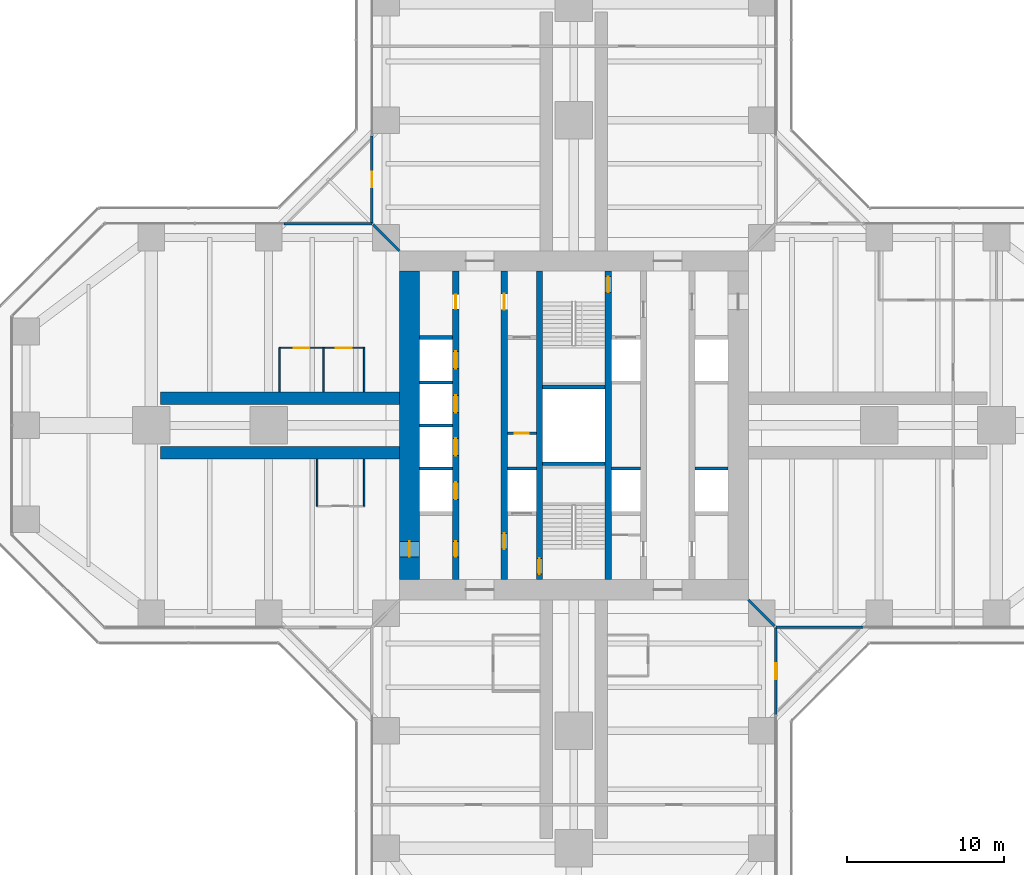
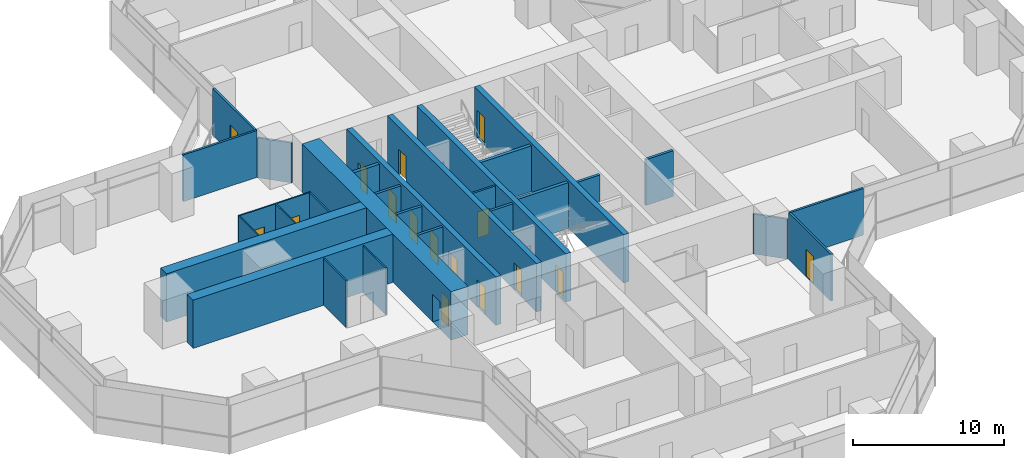
# One storey, part 18 of 22: 30 walls, 16 doors, 16 openings.
"""IFC4 building model written with IfcOpenShell, lengths in metres."""

from ifc_helpers import new_model, si_unit, direction, frame, frame_2d, origin, place, context, subcontext, project, spatial, rectangle, extrude, material, layer, layer_set, type_object, element, fill, save


model = new_model("IFC4")

# Units and contexts
model_context = context("Model", 3, precision=1e-05, world=origin(), true_north=direction((0.0, 1.0)))
body_context = subcontext(model_context, "Body", "Model", "MODEL_VIEW")
ifc_project = project(units=[si_unit("LENGTHUNIT", "METRE"), si_unit("AREAUNIT", "SQUARE_METRE"), si_unit("VOLUMEUNIT", "CUBIC_METRE"), si_unit("PLANEANGLEUNIT", "RADIAN"), si_unit("MASSUNIT", "GRAM", prefix="KILO")], contexts=[model_context])

# Site, building, storey
site_placement = place(None, origin())
site = spatial("IfcSite", under=ifc_project, at=site_placement, CompositionType="ELEMENT")
building_placement = place(site_placement, origin())
building = spatial("IfcBuilding", under=site, at=building_placement, Name="Mizan Broadcast Tower", CompositionType="ELEMENT")
storey_placement = place(building_placement, frame((0.0, 0.0, 90.300048828125)))
storey = spatial("IfcBuildingStorey", under=building, at=storey_placement, Name="L19", CompositionType="ELEMENT", Elevation=90.300048828125)

# Wall, openings, doors
ifc_material_1 = material(Name="Concrete C70/85", Category="concrete")
ifc_layer_1 = layer(ifc_material_1, 0.39990234375)
ifc_layer_set_1 = layer_set([ifc_layer_1], Name="Concrete C70/85")
wall_type_1 = type_object("IfcWallType", Name="CORE INTERNAL WALL 400", PredefinedType="SHEAR", material=ifc_layer_set_1)
wall_1_placement = place(storey_placement, frame((-7.550048828125, -9.85009765625, 0.0), z_axis=(0.0, 0.0, 1.0), x_axis=(0.0, 1.0, 0.0)))
wall_1 = element("IfcWall", 1, at=wall_1_placement, inside=storey, type_object=wall_type_1, Name="Core wall CORE/XW1", PredefinedType="SHEAR", context=body_context, shape_type="SweptSolid", body=[
    extrude(rectangle(XDim=19.7001953125, YDim=0.39990234375, at=frame_2d((9.85009765625, 0.0))), origin(), (0.0, 0.0, 1.0), 3.89990234375),
])
opening_1_placement = place(wall_1_placement, frame((1.449951171875, 0.0, 0.0)))
opening_1 = element("IfcOpeningElement", 2, at=opening_1_placement, cuts=wall_1, Name="Opening D10F", PredefinedType="OPENING", context=body_context, shape_type="SweptSolid", body=[
    extrude(rectangle(XDim=1.0, YDim=2.199951171875, at=frame_2d((0.5, 1.10009765625))), frame((0.0, 0.2099609375, 0.0), z_axis=(0.0, -1.0, 0.0), x_axis=(1.0, 0.0, 0.0)), (0.0, 0.0, 1.0), 0.419921875),
])
opening_2_placement = place(wall_1_placement, frame((17.300048828125, 0.0, 0.0)))
opening_2 = element("IfcOpeningElement", 3, at=opening_2_placement, cuts=wall_1, Name="Opening D09", PredefinedType="OPENING", context=body_context, shape_type="SweptSolid", body=[
    extrude(rectangle(XDim=0.89990234375, YDim=2.10009765625, at=frame_2d((0.449951171875, 1.050048828125))), frame((0.0, 0.2099609375, 0.0), z_axis=(0.0, -1.0, 0.0), x_axis=(1.0, 0.0, 0.0)), (0.0, 0.0, 1.0), 0.419921875),
])
opening_3_placement = place(wall_1_placement, frame((5.125, 0.0, 0.0)))
opening_3 = element("IfcOpeningElement", 4, at=opening_3_placement, cuts=wall_1, Name="Opening LD", PredefinedType="OPENING", context=body_context, shape_type="SweptSolid", body=[
    extrude(rectangle(XDim=1.10009765625, YDim=2.199951171875, at=frame_2d((0.550048828125, 1.10009765625))), frame((0.0, 0.2099609375, 0.0), z_axis=(0.0, -1.0, 0.0), x_axis=(1.0, 0.0, 0.0)), (0.0, 0.0, 1.0), 0.419921875),
])
opening_4_placement = place(wall_1_placement, frame((7.925048828125, 0.0, 0.0)))
opening_4 = element("IfcOpeningElement", 5, at=opening_4_placement, cuts=wall_1, Name="Opening LD", PredefinedType="OPENING", context=body_context, shape_type="SweptSolid", body=[
    extrude(rectangle(XDim=1.10009765625, YDim=2.199951171875, at=frame_2d((0.550048828125, 1.10009765625))), frame((0.0, 0.2099609375, 0.0), z_axis=(0.0, -1.0, 0.0), x_axis=(1.0, 0.0, 0.0)), (0.0, 0.0, 1.0), 0.419921875),
])
opening_5_placement = place(wall_1_placement, frame((10.675048828125, 0.0, 0.0)))
opening_5 = element("IfcOpeningElement", 6, at=opening_5_placement, cuts=wall_1, Name="Opening LD", PredefinedType="OPENING", context=body_context, shape_type="SweptSolid", body=[
    extrude(rectangle(XDim=1.10009765625, YDim=2.199951171875, at=frame_2d((0.550048828125, 1.10009765625))), frame((0.0, 0.2099609375, 0.0), z_axis=(0.0, -1.0, 0.0), x_axis=(1.0, 0.0, 0.0)), (0.0, 0.0, 1.0), 0.419921875),
])
opening_6_placement = place(wall_1_placement, frame((13.47509765625, 0.0, 0.0)))
opening_6 = element("IfcOpeningElement", 7, at=opening_6_placement, cuts=wall_1, Name="Opening LD", PredefinedType="OPENING", context=body_context, shape_type="SweptSolid", body=[
    extrude(rectangle(XDim=1.10009765625, YDim=2.199951171875, at=frame_2d((0.550048828125, 1.10009765625))), frame((0.0, 0.2099609375, 0.0), z_axis=(0.0, -1.0, 0.0), x_axis=(1.0, 0.0, 0.0)), (0.0, 0.0, 1.0), 0.419921875),
])
ifc_material_2 = material(Name="Steel door leaf in steel frame", Category="steel")
door_type_1 = type_object("IfcDoorType", Name="FIRE DOOR 1000 FD90", OperationType="SINGLE_SWING_LEFT", PredefinedType="DOOR", material=ifc_material_2)
door_1_placement = place(opening_1_placement, origin())
door_1 = element("IfcDoor", 8, at=door_1_placement, inside=storey, type_object=door_type_1, Name="West core passage door", OperationType="SINGLE_SWING_LEFT", OverallHeight=2.199951171875, OverallWidth=1.0, PredefinedType="DOOR", context=body_context, shape_type="SweptSolid", body=[
    extrude(rectangle(XDim=1.0, YDim=2.199951171875, at=frame_2d((0.5, 1.10009765625))), frame((0.0, 0.02490234375, 0.0), z_axis=(0.0, -1.0, 0.0), x_axis=(1.0, 0.0, 0.0)), (0.0, 0.0, 1.0), 0.050048828125),
])
fill(opening_1, door_1)
ifc_material_3 = material(Name="Steel door leaf in steel frame", Category="steel")
door_type_2 = type_object("IfcDoorType", Name="LIFT LANDING DOOR 1100", OperationType="SLIDING_TO_LEFT", PredefinedType="DOOR", material=ifc_material_3)
door_2_placement = place(opening_3_placement, origin())
door_2 = element("IfcDoor", 9, at=door_2_placement, inside=storey, type_object=door_type_2, Name="Landing door LA1", OperationType="SLIDING_TO_LEFT", OverallHeight=2.199951171875, OverallWidth=1.10009765625, PredefinedType="DOOR", context=body_context, shape_type="SweptSolid", body=[
    extrude(rectangle(XDim=1.10009765625, YDim=2.199951171875, at=frame_2d((0.550048828125, 1.10009765625))), frame((0.0, 0.02490234375, 0.0), z_axis=(0.0, -1.0, 0.0), x_axis=(1.0, 0.0, 0.0)), (0.0, 0.0, 1.0), 0.050048828125),
])
fill(opening_3, door_2)
door_3_placement = place(opening_4_placement, origin())
door_3 = element("IfcDoor", 10, at=door_3_placement, inside=storey, type_object=door_type_2, Name="Landing door LA2", OperationType="SLIDING_TO_LEFT", OverallHeight=2.199951171875, OverallWidth=1.10009765625, PredefinedType="DOOR", context=body_context, shape_type="SweptSolid", body=[
    extrude(rectangle(XDim=1.10009765625, YDim=2.199951171875, at=frame_2d((0.550048828125, 1.10009765625))), frame((0.0, 0.02490234375, 0.0), z_axis=(0.0, -1.0, 0.0), x_axis=(1.0, 0.0, 0.0)), (0.0, 0.0, 1.0), 0.050048828125),
])
fill(opening_4, door_3)
door_4_placement = place(opening_5_placement, origin())
door_4 = element("IfcDoor", 11, at=door_4_placement, inside=storey, type_object=door_type_2, Name="Landing door LA3", OperationType="SLIDING_TO_LEFT", OverallHeight=2.199951171875, OverallWidth=1.10009765625, PredefinedType="DOOR", context=body_context, shape_type="SweptSolid", body=[
    extrude(rectangle(XDim=1.10009765625, YDim=2.199951171875, at=frame_2d((0.550048828125, 1.10009765625))), frame((0.0, 0.02490234375, 0.0), z_axis=(0.0, -1.0, 0.0), x_axis=(1.0, 0.0, 0.0)), (0.0, 0.0, 1.0), 0.050048828125),
])
fill(opening_5, door_4)
door_5_placement = place(opening_6_placement, origin())
door_5 = element("IfcDoor", 12, at=door_5_placement, inside=storey, type_object=door_type_2, Name="Landing door LA4", OperationType="SLIDING_TO_LEFT", OverallHeight=2.199951171875, OverallWidth=1.10009765625, PredefinedType="DOOR", context=body_context, shape_type="SweptSolid", body=[
    extrude(rectangle(XDim=1.10009765625, YDim=2.199951171875, at=frame_2d((0.550048828125, 1.10009765625))), frame((0.0, 0.02490234375, 0.0), z_axis=(0.0, -1.0, 0.0), x_axis=(1.0, 0.0, 0.0)), (0.0, 0.0, 1.0), 0.050048828125),
])
fill(opening_6, door_5)
ifc_material_4 = material(Name="Timber door leaf in aluminium frame", Category="wood")
door_type_3 = type_object("IfcDoorType", Name="TOILET DOOR 900", OperationType="SINGLE_SWING_LEFT", PredefinedType="DOOR", material=ifc_material_4)
door_6_placement = place(opening_2_placement, origin())
door_6 = element("IfcDoor", 13, at=door_6_placement, inside=storey, type_object=door_type_3, Name="Male WC door", OperationType="SINGLE_SWING_RIGHT", OverallHeight=2.10009765625, OverallWidth=0.89990234375, PredefinedType="DOOR", context=body_context, shape_type="SweptSolid", body=[
    extrude(rectangle(XDim=0.89990234375, YDim=2.10009765625, at=frame_2d((0.449951171875, 1.050048828125))), frame((0.0, 0.02490234375, 0.0), z_axis=(0.0, -1.0, 0.0), x_axis=(1.0, 0.0, 0.0)), (0.0, 0.0, 1.0), 0.050048828125),
])
fill(opening_2, door_6)

wall_2_placement = place(storey_placement, frame((-4.449951171875, -9.85009765625, 0.0), z_axis=(0.0, 0.0, 1.0), x_axis=(0.0, 1.0, 0.0)))
wall_2 = element("IfcWall", 14, at=wall_2_placement, inside=storey, type_object=wall_type_1, Name="Core wall CORE/XWH", PredefinedType="SHEAR", context=body_context, shape_type="SweptSolid", body=[
    extrude(rectangle(XDim=19.7001953125, YDim=0.39990234375, at=frame_2d((9.85009765625, 0.0))), origin(), (0.0, 0.0, 1.0), 3.89990234375),
])
opening_7_placement = place(wall_2_placement, frame((1.949951171875, 0.0, 0.0)))
opening_7 = element("IfcOpeningElement", 15, at=opening_7_placement, cuts=wall_2, Name="Opening D10F", PredefinedType="OPENING", context=body_context, shape_type="SweptSolid", body=[
    extrude(rectangle(XDim=1.0, YDim=2.199951171875, at=frame_2d((0.5, 1.10009765625))), frame((0.0, 0.2099609375, 0.0), z_axis=(0.0, -1.0, 0.0), x_axis=(1.0, 0.0, 0.0)), (0.0, 0.0, 1.0), 0.419921875),
])
opening_8_placement = place(wall_2_placement, frame((17.25, 0.0, 0.0)))
opening_8 = element("IfcOpeningElement", 16, at=opening_8_placement, cuts=wall_2, Name="Opening D10A", PredefinedType="OPENING", context=body_context, shape_type="SweptSolid", body=[
    extrude(rectangle(XDim=1.0, YDim=2.10009765625, at=frame_2d((0.5, 1.050048828125))), frame((0.0, 0.2099609375, 0.0), z_axis=(0.0, -1.0, 0.0), x_axis=(1.0, 0.0, 0.0)), (0.0, 0.0, 1.0), 0.419921875),
])
ifc_material_5 = material(Name="Timber door leaf in aluminium frame", Category="wood")
door_type_4 = type_object("IfcDoorType", Name="ACCESSIBLE WC DOOR 1000", OperationType="SLIDING_TO_LEFT", PredefinedType="DOOR", material=ifc_material_5)
door_7_placement = place(opening_8_placement, origin())
door_7 = element("IfcDoor", 17, at=door_7_placement, inside=storey, type_object=door_type_4, Name="Accessible WC door", OperationType="SLIDING_TO_LEFT", OverallHeight=2.10009765625, OverallWidth=1.0, PredefinedType="DOOR", context=body_context, shape_type="SweptSolid", body=[
    extrude(rectangle(XDim=1.0, YDim=2.10009765625, at=frame_2d((0.5, 1.050048828125))), frame((0.0, 0.02490234375, 0.0), z_axis=(0.0, -1.0, 0.0), x_axis=(1.0, 0.0, 0.0)), (0.0, 0.0, 1.0), 0.050048828125),
])
fill(opening_8, door_7)
door_8_placement = place(opening_7_placement, origin())
door_8 = element("IfcDoor", 18, at=door_8_placement, inside=storey, type_object=door_type_1, Name="Firefighting lobby A door", OperationType="SINGLE_SWING_LEFT", OverallHeight=2.199951171875, OverallWidth=1.0, PredefinedType="DOOR", context=body_context, shape_type="SweptSolid", body=[
    extrude(rectangle(XDim=1.0, YDim=2.199951171875, at=frame_2d((0.5, 1.10009765625))), frame((0.0, 0.02490234375, 0.0), z_axis=(0.0, -1.0, 0.0), x_axis=(1.0, 0.0, 0.0)), (0.0, 0.0, 1.0), 0.050048828125),
])
fill(opening_7, door_8)

# Wall, opening, door
wall_3_placement = place(storey_placement, frame((-2.199951171875, -9.85009765625, 0.0), z_axis=(0.0, 0.0, 1.0), x_axis=(0.0, 1.0, 0.0)))
wall_3 = element("IfcWall", 19, at=wall_3_placement, inside=storey, type_object=wall_type_1, Name="Core wall CORE/XW2", PredefinedType="SHEAR", context=body_context, shape_type="SweptSolid", body=[
    extrude(rectangle(XDim=19.7001953125, YDim=0.39990234375, at=frame_2d((9.85009765625, 0.0))), origin(), (0.0, 0.0, 1.0), 3.89990234375),
])
opening_9_placement = place(wall_3_placement, frame((0.35009765625, 0.0, 0.0)))
opening_9 = element("IfcOpeningElement", 20, at=opening_9_placement, cuts=wall_3, Name="Opening D10S", PredefinedType="OPENING", context=body_context, shape_type="SweptSolid", body=[
    extrude(rectangle(XDim=1.0, YDim=2.199951171875, at=frame_2d((0.5, 1.10009765625))), frame((0.0, 0.2099609375, 0.0), z_axis=(0.0, -1.0, 0.0), x_axis=(1.0, 0.0, 0.0)), (0.0, 0.0, 1.0), 0.419921875),
])
ifc_material_6 = material(Name="Steel door leaf in steel frame", Category="steel")
door_type_5 = type_object("IfcDoorType", Name="STAIR DOOR 1000 FD90S", OperationType="SINGLE_SWING_RIGHT", PredefinedType="DOOR", material=ifc_material_6)
door_9_placement = place(opening_9_placement, origin())
door_9 = element("IfcDoor", 21, at=door_9_placement, inside=storey, type_object=door_type_5, Name="Stair A door", OperationType="SINGLE_SWING_RIGHT", OverallHeight=2.199951171875, OverallWidth=1.0, PredefinedType="DOOR", context=body_context, shape_type="SweptSolid", body=[
    extrude(rectangle(XDim=1.0, YDim=2.199951171875, at=frame_2d((0.5, 1.10009765625))), frame((0.0, 0.02490234375, 0.0), z_axis=(0.0, -1.0, 0.0), x_axis=(1.0, 0.0, 0.0)), (0.0, 0.0, 1.0), 0.050048828125),
])
fill(opening_9, door_9)

wall_4_placement = place(storey_placement, frame((2.199951171875, 9.85009765625, 0.0), z_axis=(0.0, 0.0, 1.0), x_axis=(0.0, -1.0, 0.0)))
wall_4 = element("IfcWall", 22, at=wall_4_placement, inside=storey, type_object=wall_type_1, Name="Core wall CORE/XW2E", PredefinedType="SHEAR", context=body_context, shape_type="SweptSolid", body=[
    extrude(rectangle(XDim=19.7001953125, YDim=0.39990234375, at=frame_2d((9.85009765625, 0.0))), origin(), (0.0, 0.0, 1.0), 3.89990234375),
])
opening_10_placement = place(wall_4_placement, frame((0.35009765625, 0.0, 0.0)))
opening_10 = element("IfcOpeningElement", 23, at=opening_10_placement, cuts=wall_4, Name="Opening D10S", PredefinedType="OPENING", context=body_context, shape_type="SweptSolid", body=[
    extrude(rectangle(XDim=1.0, YDim=2.199951171875, at=frame_2d((0.5, 1.10009765625))), frame((0.0, 0.2099609375, 0.0), z_axis=(0.0, -1.0, 0.0), x_axis=(1.0, 0.0, 0.0)), (0.0, 0.0, 1.0), 0.419921875),
])
door_10_placement = place(opening_10_placement, origin())
door_10 = element("IfcDoor", 24, at=door_10_placement, inside=storey, type_object=door_type_5, Name="Stair B door", OperationType="SINGLE_SWING_RIGHT", OverallHeight=2.199951171875, OverallWidth=1.0, PredefinedType="DOOR", context=body_context, shape_type="SweptSolid", body=[
    extrude(rectangle(XDim=1.0, YDim=2.199951171875, at=frame_2d((0.5, 1.10009765625))), frame((0.0, 0.02490234375, 0.0), z_axis=(0.0, -1.0, 0.0), x_axis=(1.0, 0.0, 0.0)), (0.0, 0.0, 1.0), 0.050048828125),
])
fill(opening_10, door_10)

ifc_material_7 = material(Name="Concrete blockwork", Category="masonry")
ifc_layer_2 = layer(ifc_material_7, 0.14990234375)
ifc_layer_set_2 = layer_set([ifc_layer_2], Name="Concrete blockwork")
wall_type_2 = type_object("IfcWallType", Name="CORE PARTITION 150", PredefinedType="SOLIDWALL", material=ifc_layer_set_2)
wall_5_placement = place(storey_placement, frame((-4.25, -0.5, 0.0), z_axis=(0.0, 0.0, 1.0), x_axis=(1.0, 0.0, 0.0)))
wall_5 = element("IfcWall", 25, at=wall_5_placement, inside=storey, type_object=wall_type_2, Name="Core partition CORE/XP2", PredefinedType="SOLIDWALL", context=body_context, shape_type="SweptSolid", body=[
    extrude(rectangle(XDim=1.85009765625, YDim=0.14990234375, at=frame_2d((0.925048828125, 0.0))), origin(), (0.0, 0.0, 1.0), 3.77001953125),
])
opening_11_placement = place(wall_5_placement, frame((0.47509765625, 0.0, 0.0)))
opening_11 = element("IfcOpeningElement", 26, at=opening_11_placement, cuts=wall_5, Name="Opening D09F", PredefinedType="OPENING", context=body_context, shape_type="SweptSolid", body=[
    extrude(rectangle(XDim=0.89990234375, YDim=2.10009765625, at=frame_2d((0.449951171875, 1.050048828125))), frame((0.0, 0.0849609375, 0.0), z_axis=(0.0, -1.0, 0.0), x_axis=(1.0, 0.0, 0.0)), (0.0, 0.0, 1.0), 0.169921875),
])
ifc_material_8 = material(Name="Steel door leaf in steel frame", Category="steel")
door_type_6 = type_object("IfcDoorType", Name="CORE ROOM DOOR 900 FD90", OperationType="SINGLE_SWING_LEFT", PredefinedType="DOOR", material=ifc_material_8)
door_11_placement = place(opening_11_placement, origin())
door_11 = element("IfcDoor", 27, at=door_11_placement, inside=storey, type_object=door_type_6, Name="Staff shower room door", OperationType="SINGLE_SWING_RIGHT", OverallHeight=2.10009765625, OverallWidth=0.89990234375, PredefinedType="DOOR", context=body_context, shape_type="SweptSolid", body=[
    extrude(rectangle(XDim=0.89990234375, YDim=2.10009765625, at=frame_2d((0.449951171875, 1.050048828125))), frame((0.0, 0.02490234375, 0.0), z_axis=(0.0, -1.0, 0.0), x_axis=(1.0, 0.0, 0.0)), (0.0, 0.0, 1.0), 0.050048828125),
])
fill(opening_11, door_11)

ifc_material_9 = material(Name="Concrete C70/85", Category="concrete")
ifc_layer_3 = layer(ifc_material_9, 1.300048828125)
ifc_layer_set_3 = layer_set([ifc_layer_3], Name="Concrete C70/85")
wall_type_3 = type_object("IfcWallType", Name="CORE WALL 1300", PredefinedType="SHEAR", material=ifc_layer_set_3)
wall_6_placement = place(storey_placement, frame((-10.5, 9.85009765625, 0.0), z_axis=(0.0, 0.0, 1.0), x_axis=(0.0, -1.0, 0.0)))
wall_6 = element("IfcWall", 28, at=wall_6_placement, inside=storey, type_object=wall_type_3, Name="Core wall W L19", PredefinedType="SHEAR", context=body_context, shape_type="SweptSolid", body=[
    extrude(rectangle(XDim=19.7001953125, YDim=1.300048828125, at=frame_2d((9.85009765625, 0.0))), origin(), (0.0, 0.0, 1.0), 3.89990234375),
])
opening_12_placement = place(wall_6_placement, frame((17.25, 0.0, 0.0)))
opening_12 = element("IfcOpeningElement", 29, at=opening_12_placement, cuts=wall_6, Name="Opening D10F", PredefinedType="OPENING", context=body_context, shape_type="SweptSolid", body=[
    extrude(rectangle(XDim=1.0, YDim=2.199951171875, at=frame_2d((0.5, 1.10009765625))), frame((0.0, 0.659912109375, 0.0), z_axis=(0.0, -1.0, 0.0), x_axis=(1.0, 0.0, 0.0)), (0.0, 0.0, 1.0), 1.320068359375),
])
door_12_placement = place(opening_12_placement, origin())
door_12 = element("IfcDoor", 30, at=door_12_placement, inside=storey, type_object=door_type_1, Name="West core passage arm door", OperationType="SINGLE_SWING_RIGHT", OverallHeight=2.199951171875, OverallWidth=1.0, PredefinedType="DOOR", context=body_context, shape_type="SweptSolid", body=[
    extrude(rectangle(XDim=1.0, YDim=2.199951171875, at=frame_2d((0.5, 1.10009765625))), frame((0.0, 0.02490234375, 0.0), z_axis=(0.0, -1.0, 0.0), x_axis=(1.0, 0.0, 0.0)), (0.0, 0.0, 1.0), 0.050048828125),
])
fill(opening_12, door_12)

# Wall
ifc_material_10 = material(Name="Aluminium framed glazed screen", Category="aluminium")
ifc_layer_4 = layer(ifc_material_10, 0.159912109375)
ifc_layer_set_4 = layer_set([ifc_layer_4], Name="Aluminium framed glazed screen")
wall_type_4 = type_object("IfcWallType", Name="GLAZED SCREEN WALL 160", PredefinedType="SOLIDWALL", material=ifc_layer_set_4)
wall_7_placement = place(storey_placement, frame((12.89990234375, -12.89990234375, 0.0), z_axis=(0.0, 0.0, 1.0), x_axis=(1.0, 0.0, 0.0)))
element("IfcWall", 31, at=wall_7_placement, inside=storey, type_object=wall_type_4, Name="Winter garden screen L19 E", PredefinedType="SOLIDWALL", context=body_context, shape_type="SweptSolid", body=[
    extrude(rectangle(XDim=5.60009765625, YDim=0.159912109375, at=frame_2d((2.800048828125, 0.0))), origin(), (0.0, 0.0, 1.0), 3.77001953125),
])

# Wall, opening, door
wall_8_placement = place(storey_placement, frame((-12.89990234375, 18.5, 0.0), z_axis=(0.0, 0.0, 1.0), x_axis=(0.0, -1.0, 0.0)))
wall_8 = element("IfcWall", 32, at=wall_8_placement, inside=storey, type_object=wall_type_4, Name="Winter garden screen L19 N", PredefinedType="SOLIDWALL", context=body_context, shape_type="SweptSolid", body=[
    extrude(rectangle(XDim=5.60009765625, YDim=0.159912109375, at=frame_2d((2.800048828125, 0.0))), origin(), (0.0, 0.0, 1.0), 3.77001953125),
])
opening_13_placement = place(wall_8_placement, frame((2.300048828125, 0.0, 0.0)))
opening_13 = element("IfcOpeningElement", 33, at=opening_13_placement, cuts=wall_8, Name="Opening WGD", PredefinedType="OPENING", context=body_context, shape_type="SweptSolid", body=[
    extrude(rectangle(XDim=1.0, YDim=2.199951171875, at=frame_2d((0.5, 1.10009765625))), frame((0.0, 0.08984375, 0.0), z_axis=(0.0, -1.0, 0.0), x_axis=(1.0, 0.0, 0.0)), (0.0, 0.0, 1.0), 0.179931640625),
])
ifc_material_11 = material(Name="Aluminium framed glazed door", Category="aluminium")
door_type_7 = type_object("IfcDoorType", Name="WINTER GARDEN DOOR 1000 GLAZED", OperationType="SINGLE_SWING_LEFT", PredefinedType="DOOR", material=ifc_material_11)
door_13_placement = place(opening_13_placement, origin())
door_13 = element("IfcDoor", 34, at=door_13_placement, inside=storey, type_object=door_type_7, Name="Winter garden door L19 N", OperationType="SINGLE_SWING_RIGHT", OverallHeight=2.199951171875, OverallWidth=1.0, PredefinedType="DOOR", context=body_context, shape_type="SweptSolid", body=[
    extrude(rectangle(XDim=1.0, YDim=2.199951171875, at=frame_2d((0.5, 1.10009765625))), frame((0.0, 0.02490234375, 0.0), z_axis=(0.0, -1.0, 0.0), x_axis=(1.0, 0.0, 0.0)), (0.0, 0.0, 1.0), 0.050048828125),
])
fill(opening_13, door_13)

# Wall
wall_9_placement = place(storey_placement, frame((-12.89990234375, 12.89990234375, 0.0), z_axis=(0.0, 0.0, 1.0), x_axis=(-1.0, 0.0, 0.0)))
element("IfcWall", 35, at=wall_9_placement, inside=storey, type_object=wall_type_4, Name="Winter garden screen L19 W", PredefinedType="SOLIDWALL", context=body_context, shape_type="SweptSolid", body=[
    extrude(rectangle(XDim=5.60009765625, YDim=0.159912109375, at=frame_2d((2.800048828125, 0.0))), origin(), (0.0, 0.0, 1.0), 3.77001953125),
])

# Wall, opening, door
wall_10_placement = place(storey_placement, frame((12.89990234375, -18.5, 0.0), z_axis=(0.0, 0.0, 1.0), x_axis=(0.0, 1.0, 0.0)))
wall_10 = element("IfcWall", 36, at=wall_10_placement, inside=storey, type_object=wall_type_4, Name="Winter garden screen L19 S", PredefinedType="SOLIDWALL", context=body_context, shape_type="SweptSolid", body=[
    extrude(rectangle(XDim=5.60009765625, YDim=0.159912109375, at=frame_2d((2.800048828125, 0.0))), origin(), (0.0, 0.0, 1.0), 3.77001953125),
])
opening_14_placement = place(wall_10_placement, frame((2.300048828125, 0.0, 0.0)))
opening_14 = element("IfcOpeningElement", 37, at=opening_14_placement, cuts=wall_10, Name="Opening WGD", PredefinedType="OPENING", context=body_context, shape_type="SweptSolid", body=[
    extrude(rectangle(XDim=1.0, YDim=2.199951171875, at=frame_2d((0.5, 1.10009765625))), frame((0.0, 0.08984375, 0.0), z_axis=(0.0, -1.0, 0.0), x_axis=(1.0, 0.0, 0.0)), (0.0, 0.0, 1.0), 0.179931640625),
])
door_14_placement = place(opening_14_placement, origin())
door_14 = element("IfcDoor", 38, at=door_14_placement, inside=storey, type_object=door_type_7, Name="Winter garden door L19 S", OperationType="SINGLE_SWING_RIGHT", OverallHeight=2.199951171875, OverallWidth=1.0, PredefinedType="DOOR", context=body_context, shape_type="SweptSolid", body=[
    extrude(rectangle(XDim=1.0, YDim=2.199951171875, at=frame_2d((0.5, 1.10009765625))), frame((0.0, 0.02490234375, 0.0), z_axis=(0.0, -1.0, 0.0), x_axis=(1.0, 0.0, 0.0)), (0.0, 0.0, 1.0), 0.050048828125),
])
fill(opening_14, door_14)

# Walls
ifc_material_12 = material(Name="Concrete blockwork", Category="masonry")
ifc_layer_5 = layer(ifc_material_12, 0.199951171875)
ifc_layer_set_5 = layer_set([ifc_layer_5], Name="Concrete blockwork")
wall_type_5 = type_object("IfcWallType", Name="LIFT SHAFT WALL 200", PredefinedType="SOLIDWALL", material=ifc_layer_set_5)
wall_11_placement = place(storey_placement, frame((-9.85009765625, -2.75, 0.0), z_axis=(0.0, 0.0, 1.0), x_axis=(1.0, 0.0, 0.0)))
element("IfcWall", 39, at=wall_11_placement, inside=storey, type_object=wall_type_5, Name="Lift shaft wall CORE/SW1-1", PredefinedType="SOLIDWALL", context=body_context, shape_type="SweptSolid", body=[
    extrude(rectangle(XDim=2.10009765625, YDim=0.199951171875, at=frame_2d((1.050048828125, 0.0))), origin(), (0.0, 0.0, 1.0), 3.699951171875),
])
for number, where, z_axis, x_axis, name in (
    (40, (-4.25, -2.75, 0.0), (0.0, 0.0, 1.0), (1.0, 0.0, 0.0), "Lift shaft wall CORE/SW2-1"),
    (41, (2.39990234375, -2.75, 0.0), (0.0, 0.0, 1.0), (1.0, 0.0, 0.0), "Lift shaft wall CORE/SE2-1"),
):
    element("IfcWall", number, at=place(storey_placement, frame(where, z_axis=z_axis, x_axis=x_axis)), inside=storey, type_object=wall_type_5, Name=name, PredefinedType="SOLIDWALL", context=body_context, shape_type="SweptSolid", body=[
        extrude(rectangle(XDim=1.85009765625, YDim=0.199951171875, at=frame_2d((0.925048828125, 0.0))), origin(), (0.0, 0.0, 1.0), 3.699951171875),
    ])
for number, where, z_axis, x_axis, name in (
    (42, (7.75, -2.75, 0.0), (0.0, 0.0, 1.0), (1.0, 0.0, 0.0), "Lift shaft wall CORE/SE1-1"),
    (43, (-9.85009765625, 0.0, 0.0), (0.0, 0.0, 1.0), (1.0, 0.0, 0.0), "Lift shaft wall CORE/SW1-2"),
    (44, (-9.85009765625, 2.75, 0.0), (0.0, 0.0, 1.0), (1.0, 0.0, 0.0), "Lift shaft wall CORE/SW1-3"),
):
    element("IfcWall", number, at=place(storey_placement, frame(where, z_axis=z_axis, x_axis=x_axis)), inside=storey, type_object=wall_type_5, Name=name, PredefinedType="SOLIDWALL", context=body_context, shape_type="SweptSolid", body=[
        extrude(rectangle(XDim=2.10009765625, YDim=0.199951171875, at=frame_2d((1.050048828125, 0.0))), origin(), (0.0, 0.0, 1.0), 3.699951171875),
    ])
ifc_material_13 = material(Name="Concrete blockwork", Category="masonry")
ifc_layer_6 = layer(ifc_material_13, 0.25)
ifc_layer_set_6 = layer_set([ifc_layer_6], Name="Concrete blockwork")
wall_type_6 = type_object("IfcWallType", Name="LOBBY ENCLOSURE WALL 250", PredefinedType="SOLIDWALL", material=ifc_layer_set_6)
wall_12_placement = place(storey_placement, frame((-9.85009765625, 5.625, 0.0), z_axis=(0.0, 0.0, 1.0), x_axis=(1.0, 0.0, 0.0)))
element("IfcWall", 45, at=wall_12_placement, inside=storey, type_object=wall_type_6, Name="Lobby enclosure wall CORE/BW1N", PredefinedType="SOLIDWALL", context=body_context, shape_type="SweptSolid", body=[
    extrude(rectangle(XDim=2.10009765625, YDim=0.25, at=frame_2d((1.050048828125, 0.0))), origin(), (0.0, 0.0, 1.0), 3.699951171875),
])
for number, where, z_axis, x_axis, name in (
    (46, (-2.0, -2.449951171875, 0.0), (0.0, 0.0, 1.0), (1.0, 0.0, 0.0), "Lobby enclosure wall CORE/STA"),
    (47, (-2.0, 2.449951171875, 0.0), (0.0, 0.0, 1.0), (1.0, 0.0, 0.0), "Lobby enclosure wall CORE/STB"),
):
    element("IfcWall", number, at=place(storey_placement, frame(where, z_axis=z_axis, x_axis=x_axis)), inside=storey, type_object=wall_type_6, Name=name, PredefinedType="SOLIDWALL", context=body_context, shape_type="SweptSolid", body=[
        extrude(rectangle(XDim=4.0, YDim=0.25, at=frame_2d((2.0, 0.0))), origin(), (0.0, 0.0, 1.0), 3.699951171875),
    ])
ifc_material_14 = material(Name="Gypsum board on steel studs", Category="steel")
ifc_layer_7 = layer(ifc_material_14, 0.14990234375)
ifc_layer_set_7 = layer_set([ifc_layer_7], Name="Gypsum board on steel studs")
wall_type_7 = type_object("IfcWallType", Name="PARTITION 150", PredefinedType="PARTITIONING", material=ifc_layer_set_7)
for number, where, z_axis, x_axis, name in (
    (48, (-11.14990234375, 11.14990234375, 0.0), (0.0, 0.0, 1.0), (-0.707106781187, 0.707106781187, 0.0), "Partition PT/DGWN"),
    (49, (11.14990234375, -11.14990234375, 0.0), (0.0, 0.0, 1.0), (0.707106781187, -0.707106781187, 0.0), "Partition PT/DGES"),
):
    element("IfcWall", number, at=place(storey_placement, frame(where, z_axis=z_axis, x_axis=x_axis)), inside=storey, type_object=wall_type_7, Name=name, PredefinedType="PARTITIONING", context=body_context, shape_type="SweptSolid", body=[
        extrude(rectangle(XDim=2.362060546875, YDim=0.14990234375, at=frame_2d((1.18115234375, 0.0))), origin(), (0.0, 0.0, 1.0), 3.219970703125),
    ])
ifc_material_15 = material(Name="Glazed aluminium partition on aluminium track", Category="aluminium")
ifc_layer_8 = layer(ifc_material_15, 0.10009765625)
ifc_layer_set_8 = layer_set([ifc_layer_8], Name="Glazed aluminium partition on aluminium track")
wall_type_8 = type_object("IfcWallType", Name="PARTITION GLAZED OFFICE FRONT 100", PredefinedType="PARTITIONING", material=ifc_layer_set_8)
for number, where, z_axis, x_axis, name in (
    (50, (-13.39990234375, -2.14990234375, 0.0), (0.0, 0.0, 1.0), (0.0, -1.0, 0.0), "Glazed office front PT/WKP0a"),
    (51, (-16.39990234375, -2.14990234375, 0.0), (0.0, 0.0, 1.0), (0.0, -1.0, 0.0), "Glazed office front PT/WKP0b"),
):
    element("IfcWall", number, at=place(storey_placement, frame(where, z_axis=z_axis, x_axis=x_axis)), inside=storey, type_object=wall_type_8, Name=name, PredefinedType="PARTITIONING", context=body_context, shape_type="SweptSolid", body=[
        extrude(rectangle(XDim=3.0, YDim=0.10009765625, at=frame_2d((1.5, 0.0))), origin(), (0.0, 0.0, 1.0), 3.77001953125),
    ])
for number, where, z_axis, x_axis, name in (
    (52, (-13.39990234375, 2.14990234375, 0.0), (0.0, 0.0, 1.0), (0.0, 1.0, 0.0), "Glazed office front PT/WKN0a"),
    (53, (-16.0, 2.14990234375, 0.0), (0.0, 0.0, 1.0), (0.0, 1.0, 0.0), "Glazed office front PT/WKN0b"),
):
    element("IfcWall", number, at=place(storey_placement, frame(where, z_axis=z_axis, x_axis=x_axis)), inside=storey, type_object=wall_type_8, Name=name, PredefinedType="PARTITIONING", context=body_context, shape_type="SweptSolid", body=[
        extrude(rectangle(XDim=2.800048828125, YDim=0.10009765625, at=frame_2d((1.39990234375, 0.0))), origin(), (0.0, 0.0, 1.0), 3.77001953125),
    ])

# Wall, opening, door
wall_13_placement = place(storey_placement, frame((-13.35009765625, 4.949951171875, 0.0), z_axis=(0.0, 0.0, 1.0), x_axis=(-1.0, 0.0, 0.0)))
wall_13 = element("IfcWall", 54, at=wall_13_placement, inside=storey, type_object=wall_type_8, Name="Glazed office front PT/WKN0f", PredefinedType="PARTITIONING", context=body_context, shape_type="SweptSolid", body=[
    extrude(rectangle(XDim=2.699951171875, YDim=0.10009765625, at=frame_2d((1.35009765625, 0.0))), origin(), (0.0, 0.0, 1.0), 3.77001953125),
])
opening_15_placement = place(wall_13_placement, frame((0.85009765625, 0.0, 0.0)))
opening_15 = element("IfcOpeningElement", 55, at=opening_15_placement, cuts=wall_13, Name="Opening D10O", PredefinedType="OPENING", context=body_context, shape_type="SweptSolid", body=[
    extrude(rectangle(XDim=1.0, YDim=2.199951171875, at=frame_2d((0.5, 1.10009765625))), frame((0.0, 0.06005859375, 0.0), z_axis=(0.0, -1.0, 0.0), x_axis=(1.0, 0.0, 0.0)), (0.0, 0.0, 1.0), 0.1201171875),
])
ifc_material_16 = material(Name="Timber door leaf in aluminium frame", Category="wood")
door_type_8 = type_object("IfcDoorType", Name="OFFICE DOOR 1000 GLAZED", OperationType="SINGLE_SWING_LEFT", PredefinedType="DOOR", material=ifc_material_16)
door_15_placement = place(opening_15_placement, origin())
door_15 = element("IfcDoor", 56, at=door_15_placement, inside=storey, type_object=door_type_8, Name="Quiet room door", OperationType="SINGLE_SWING_LEFT", OverallHeight=2.199951171875, OverallWidth=1.0, PredefinedType="DOOR", context=body_context, shape_type="SweptSolid", body=[
    extrude(rectangle(XDim=1.0, YDim=2.199951171875, at=frame_2d((0.5, 1.10009765625))), frame((0.0, 0.02490234375, 0.0), z_axis=(0.0, -1.0, 0.0), x_axis=(1.0, 0.0, 0.0)), (0.0, 0.0, 1.0), 0.050048828125),
])
fill(opening_15, door_15)

# Wall
wall_14_placement = place(storey_placement, frame((-18.800048828125, 2.14990234375, 0.0), z_axis=(0.0, 0.0, 1.0), x_axis=(0.0, 1.0, 0.0)))
element("IfcWall", 57, at=wall_14_placement, inside=storey, type_object=wall_type_8, Name="Glazed office front PT/WKN1b", PredefinedType="PARTITIONING", context=body_context, shape_type="SweptSolid", body=[
    extrude(rectangle(XDim=2.800048828125, YDim=0.10009765625, at=frame_2d((1.39990234375, 0.0))), origin(), (0.0, 0.0, 1.0), 3.77001953125),
])

# Wall, opening, door
wall_15_placement = place(storey_placement, frame((-16.050048828125, 4.949951171875, 0.0), z_axis=(0.0, 0.0, 1.0), x_axis=(-1.0, 0.0, 0.0)))
wall_15 = element("IfcWall", 58, at=wall_15_placement, inside=storey, type_object=wall_type_8, Name="Glazed office front PT/WKN1f", PredefinedType="PARTITIONING", context=body_context, shape_type="SweptSolid", body=[
    extrude(rectangle(XDim=2.800048828125, YDim=0.10009765625, at=frame_2d((1.39990234375, 0.0))), origin(), (0.0, 0.0, 1.0), 3.77001953125),
])
opening_16_placement = place(wall_15_placement, frame((0.85009765625, 0.0, 0.0)))
opening_16 = element("IfcOpeningElement", 59, at=opening_16_placement, cuts=wall_15, Name="Opening D10O", PredefinedType="OPENING", context=body_context, shape_type="SweptSolid", body=[
    extrude(rectangle(XDim=1.0, YDim=2.199951171875, at=frame_2d((0.5, 1.10009765625))), frame((0.0, 0.06005859375, 0.0), z_axis=(0.0, -1.0, 0.0), x_axis=(1.0, 0.0, 0.0)), (0.0, 0.0, 1.0), 0.1201171875),
])
door_16_placement = place(opening_16_placement, origin())
door_16 = element("IfcDoor", 60, at=door_16_placement, inside=storey, type_object=door_type_8, Name="Quiet room door", OperationType="SINGLE_SWING_LEFT", OverallHeight=2.199951171875, OverallWidth=1.0, PredefinedType="DOOR", context=body_context, shape_type="SweptSolid", body=[
    extrude(rectangle(XDim=1.0, YDim=2.199951171875, at=frame_2d((0.5, 1.10009765625))), frame((0.0, 0.02490234375, 0.0), z_axis=(0.0, -1.0, 0.0), x_axis=(1.0, 0.0, 0.0)), (0.0, 0.0, 1.0), 0.050048828125),
])
fill(opening_16, door_16)

# Walls
ifc_material_17 = material(Name="Concrete C70/85", Category="concrete")
ifc_layer_9 = layer(ifc_material_17, 0.800048828125)
ifc_layer_set_9 = layer_set([ifc_layer_9], Name="Concrete C70/85")
wall_type_9 = type_object("IfcWallType", Name="SPINE WALL 800", PredefinedType="SHEAR", material=ifc_layer_set_9)
for number, where, z_axis, x_axis, name in (
    (61, (-11.14990234375, 1.75, 0.0), (0.0, 0.0, 1.0), (-1.0, 0.0, 0.0), "Spine wall WR L19"),
    (62, (-11.14990234375, -1.75, 0.0), (0.0, 0.0, 1.0), (-1.0, 0.0, 0.0), "Spine wall WL L19"),
):
    element("IfcWall", number, at=place(storey_placement, frame(where, z_axis=z_axis, x_axis=x_axis)), inside=storey, type_object=wall_type_9, Name=name, PredefinedType="SHEAR", context=body_context, shape_type="SweptSolid", body=[
        extrude(rectangle(XDim=15.25, YDim=0.800048828125, at=frame_2d((7.625, 0.0))), origin(), (0.0, 0.0, 1.0), 3.89990234375),
    ])

save(model, "model.ifc")
